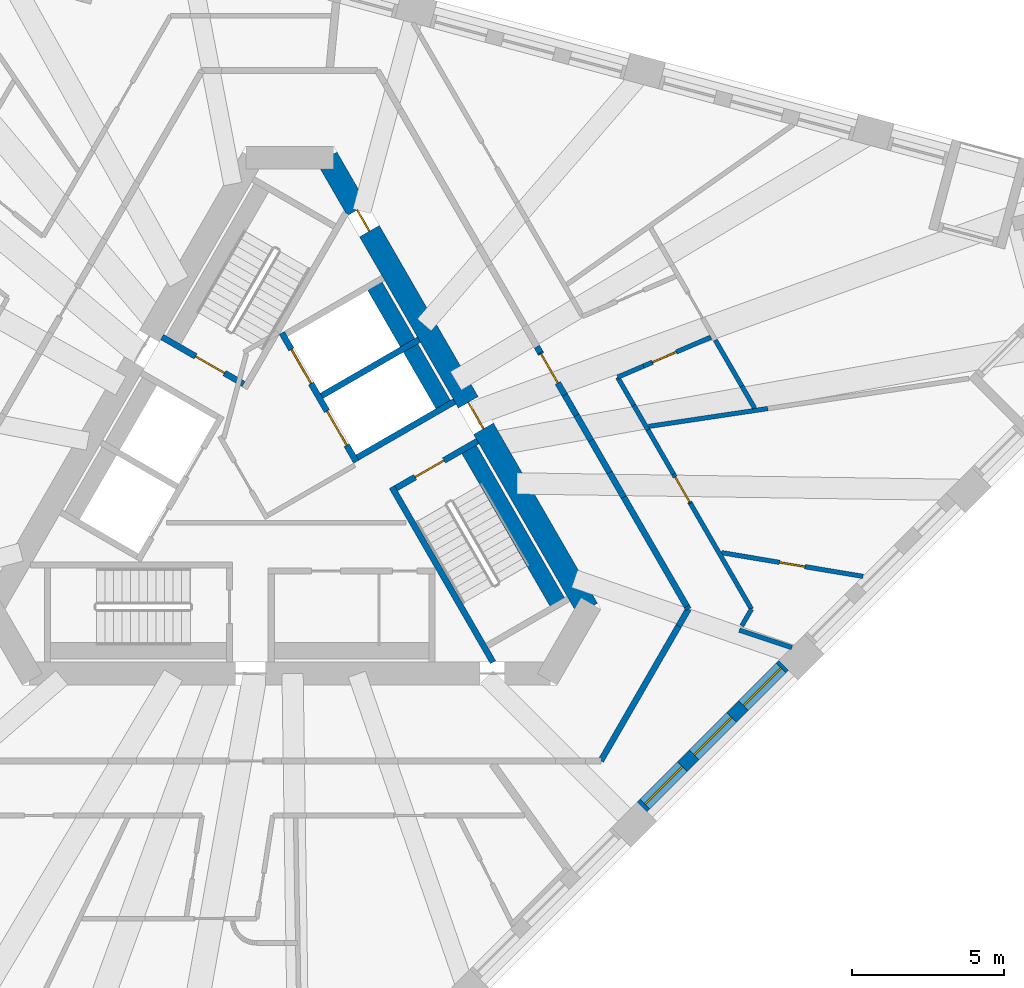
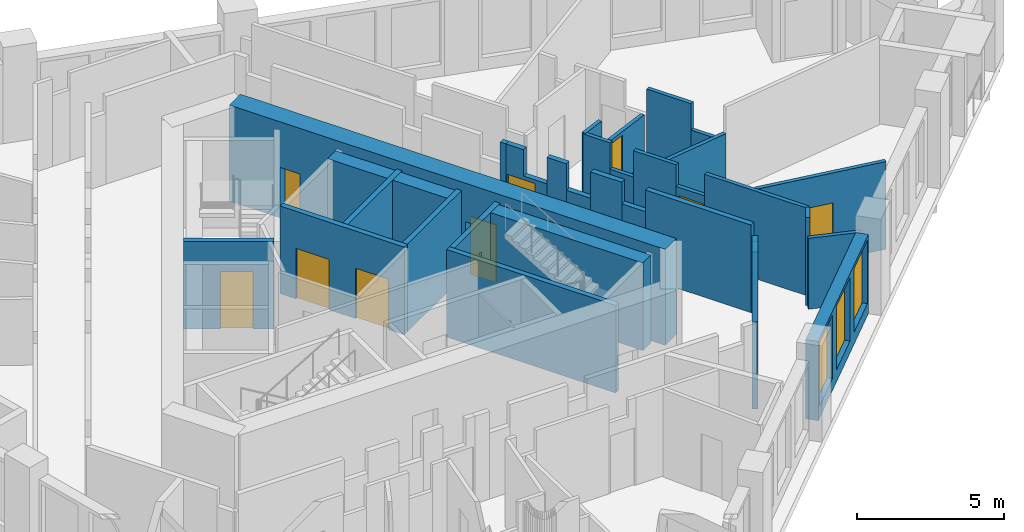
# One storey, part 5 of 13: 33 walls, 10 doors, 3 windows, 13 openings.
"""IFC4 building model written with IfcOpenShell, lengths in metres."""

from ifc_helpers import new_model, si_unit, direction, frame, frame_2d, origin, place, context, subcontext, project, spatial, polyline, rectangle, outline, extrude, material, layer, layer_set, type_object, element, fill, save


model = new_model("IFC4")

# Units and contexts
model_context = context("Model", 3, precision=1e-05, world=origin(), true_north=direction((0.0, 1.0)))
body_context = subcontext(model_context, "Body", "Model", "MODEL_VIEW")
ifc_project = project(units=[si_unit("LENGTHUNIT", "METRE"), si_unit("AREAUNIT", "SQUARE_METRE"), si_unit("VOLUMEUNIT", "CUBIC_METRE"), si_unit("PLANEANGLEUNIT", "RADIAN"), si_unit("MASSUNIT", "GRAM", prefix="KILO")], contexts=[model_context])

# Site, building, storey
site_placement = place(None, origin())
site = spatial("IfcSite", under=ifc_project, at=site_placement, CompositionType="ELEMENT")
building_placement = place(site_placement, origin())
building = spatial("IfcBuilding", under=site, at=building_placement, Name="Tramontana Tower", CompositionType="ELEMENT")
storey_placement = place(building_placement, frame((0.0, 0.0, 216.0)))
storey = spatial("IfcBuildingStorey", under=building, at=storey_placement, Name="L50", CompositionType="ELEMENT", Elevation=216.0)

# Wall, openings, doors
ifc_material_1 = material(Name="Concrete 70 MPa", Category="concrete")
ifc_layer_1 = layer(ifc_material_1, 0.75)
ifc_layer_set_1 = layer_set([ifc_layer_1], Name="Core wall 750 70 MPa")
wall_type_1 = type_object("IfcWallType", Name="Core wall 750 70 MPa", PredefinedType="SHEAR", material=ifc_layer_set_1)
wall_1_placement = place(storey_placement, frame((9.81494140625, -4.25, 0.0), z_axis=(0.0, 0.0, 1.0), x_axis=(-0.500002161919, 0.866024155596, 0.0)))
wall_1 = element("IfcWall", 1, at=wall_1_placement, inside=storey, type_object=wall_type_1, Name="Core wall C5 L50", PredefinedType="SHEAR", context=body_context, shape_type="SweptSolid", body=[
    extrude(rectangle(XDim=17.17626953125, YDim=0.75, at=frame_2d((8.588134765625, 0.0))), origin(), (0.0, 0.0, 1.0), 4.0),
])
opening_1_placement = place(wall_1_placement, frame((6.863037109375, 0.0, 0.0)))
opening_1 = element("IfcOpeningElement", 2, at=opening_1_placement, cuts=wall_1, Name="Opening RG3", PredefinedType="OPENING", context=body_context, shape_type="SweptSolid", body=[
    extrude(rectangle(XDim=1.0, YDim=2.39990234375, at=frame_2d((0.5, 1.199951171875))), frame((0.0, 0.385009765625, 0.0), z_axis=(0.0, -1.0, 0.0), x_axis=(1.0, 0.0, 0.0)), (0.0, 0.0, 1.0), 0.77001953125),
])
opening_2_placement = place(wall_1_placement, frame((14.382080078125, 0.0, 0.0)))
opening_2 = element("IfcOpeningElement", 3, at=opening_2_placement, cuts=wall_1, Name="Opening PD3", PredefinedType="OPENING", context=body_context, shape_type="SweptSolid", body=[
    extrude(rectangle(XDim=0.800048828125, YDim=2.10009765625, at=frame_2d((0.39990234375, 1.050048828125))), frame((0.0, 0.385009765625, 0.0), z_axis=(0.0, -1.0, 0.0), x_axis=(1.0, 0.0, 0.0)), (0.0, 0.0, 1.0), 0.77001953125),
])
ifc_material_2 = material(Name="Painted steel", Category="steel")
door_type_1 = type_object("IfcDoorType", Name="CUPBOARD DOOR 800", OperationType="SINGLE_SWING_LEFT", PredefinedType="DOOR", material=ifc_material_2)
door_1_placement = place(opening_2_placement, origin())
door_1 = element("IfcDoor", 4, at=door_1_placement, inside=storey, type_object=door_type_1, Name="Door PD3", OperationType="SINGLE_SWING_RIGHT", OverallHeight=2.10009765625, OverallWidth=0.800048828125, PredefinedType="DOOR", context=body_context, shape_type="SweptSolid", body=[
    extrude(rectangle(XDim=0.800048828125, YDim=2.10009765625, at=frame_2d((0.39990234375, 1.050048828125))), frame((0.0, 0.02490234375, 0.0), z_axis=(0.0, -1.0, 0.0), x_axis=(1.0, 0.0, 0.0)), (0.0, 0.0, 1.0), 0.050048828125),
])
fill(opening_2, door_1)
ifc_material_3 = material(Name="Painted steel", Category="steel")
door_type_2 = type_object("IfcDoorType", Name="RING DOOR 1000", OperationType="SINGLE_SWING_LEFT", PredefinedType="DOOR", material=ifc_material_3)
door_2_placement = place(opening_1_placement, origin())
door_2 = element("IfcDoor", 5, at=door_2_placement, inside=storey, type_object=door_type_2, Name="Door RG3", OperationType="SINGLE_SWING_RIGHT", OverallHeight=2.39990234375, OverallWidth=1.0, PredefinedType="DOOR", context=body_context, shape_type="SweptSolid", body=[
    extrude(rectangle(XDim=1.0, YDim=2.39990234375, at=frame_2d((0.5, 1.199951171875))), frame((0.0, 0.02490234375, 0.0), z_axis=(0.0, -1.0, 0.0), x_axis=(1.0, 0.0, 0.0)), (0.0, 0.0, 1.0), 0.050048828125),
])
fill(opening_1, door_2)

# Wall
ifc_material_4 = material(Name="Blockwork", Category="masonry")
ifc_layer_2 = layer(ifc_material_4, 0.199951171875)
ifc_layer_set_2 = layer_set([ifc_layer_2], Name="ENTRY WALL 200")
wall_type_2 = type_object("IfcWallType", Name="ENTRY WALL 200", PredefinedType="SOLIDWALL", material=ifc_layer_set_2)
wall_2_placement = place(storey_placement, frame((8.143310546875, 4.3955078125, 0.0), z_axis=(0.0, 0.0, 1.0), x_axis=(0.499230902886, -0.866468987099, 0.0)))
element("IfcWall", 6, at=wall_2_placement, inside=storey, type_object=wall_type_2, Name="Wall v51-ew0-6", PredefinedType="SOLIDWALL", context=body_context, shape_type="SweptSolid", body=[
    extrude(rectangle(XDim=0.229248046875, YDim=0.199951171875, at=frame_2d((0.11474609375, 0.0))), origin(), (0.0, 0.0, 1.0), 3.64990234375),
])

# Wall, opening, door
wall_3_placement = place(storey_placement, frame((8.2578125, 4.19677734375, 0.0), z_axis=(0.0, 0.0, 1.0), x_axis=(0.500138504756, -0.865945423257, 0.0)))
wall_3 = element("IfcWall", 7, at=wall_3_placement, inside=storey, type_object=wall_type_2, Name="Wall v51-ew0-7", PredefinedType="SOLIDWALL", context=body_context, shape_type="SweptSolid", body=[
    extrude(outline(polyline([(0.0, 0.0), (1.6083984375, 0.0), (1.608642578125, 2.550048828125), (0.6943359375, 2.550048828125), (0.6943359375, 3.64990234375), (0.0, 3.64990234375), (0.0, 0.0)])), frame((0.0, 0.10009765625, 0.0), z_axis=(0.0, -1.0, 0.0), x_axis=(1.0, 0.0, 0.0)), (0.0, 0.0, 1.0), 0.199951171875),
])
opening_3_placement = place(wall_3_placement, frame((0.050048828125, 0.0, 0.0)))
opening_3 = element("IfcOpeningElement", 8, at=opening_3_placement, cuts=wall_3, Name="Opening B5B-21", PredefinedType="OPENING", context=body_context, shape_type="SweptSolid", body=[
    extrude(rectangle(XDim=1.10009765625, YDim=2.39990234375, at=frame_2d((0.550048828125, 1.199951171875))), frame((0.0, 0.10986328125, 0.0), z_axis=(0.0, -1.0, 0.0), x_axis=(1.0, 0.0, 0.0)), (0.0, 0.0, 1.0), 0.219970703125),
])
ifc_material_5 = material(Name="Painted timber", Category="wood")
door_type_3 = type_object("IfcDoorType", Name="DOOR ENTRY 1100", OperationType="SINGLE_SWING_LEFT", PredefinedType="DOOR", material=ifc_material_5)
door_3_placement = place(opening_3_placement, origin())
door_3 = element("IfcDoor", 9, at=door_3_placement, inside=storey, type_object=door_type_3, Name="Door B5B-21", OperationType="SINGLE_SWING_LEFT", OverallHeight=2.39990234375, OverallWidth=1.10009765625, PredefinedType="DOOR", context=body_context, shape_type="SweptSolid", body=[
    extrude(rectangle(XDim=1.10009765625, YDim=2.39990234375, at=frame_2d((0.550048828125, 1.199951171875))), frame((0.0, 0.02490234375, 0.0), z_axis=(0.0, -1.0, 0.0), x_axis=(1.0, 0.0, 0.0)), (0.0, 0.0, 1.0), 0.050048828125),
])
fill(opening_3, door_3)

# Walls
wall_4_placement = place(storey_placement, frame((9.062255859375, 2.803955078125, 0.0), z_axis=(0.0, 0.0, 1.0), x_axis=(0.499997253739, -0.866026989333, 0.0)))
element("IfcWall", 10, at=wall_4_placement, inside=storey, type_object=wall_type_2, Name="Wall v51-ew0-8", PredefinedType="SOLIDWALL", context=body_context, shape_type="SweptSolid", body=[
    extrude(rectangle(XDim=0.76904296875, YDim=0.199951171875, at=frame_2d((0.384521484375, 0.0))), origin(), (0.0, 0.0, 1.0), 3.64990234375),
])
wall_5_placement = place(storey_placement, frame((9.44677734375, 2.137939453125, 0.0), z_axis=(0.0, 0.0, 1.0), x_axis=(0.499869636591, -0.866100656052, 0.0)))
element("IfcWall", 11, at=wall_5_placement, inside=storey, type_object=wall_type_2, Name="Wall v51-ew0-9", PredefinedType="SOLIDWALL", context=body_context, shape_type="SweptSolid", body=[
    extrude(rectangle(XDim=0.957275390625, YDim=0.199951171875, at=frame_2d((0.478515625, 0.0))), origin(), (0.0, 0.0, 1.0), 2.550048828125),
])
wall_6_placement = place(storey_placement, frame((9.92529296875, 1.308837890625, 0.0), z_axis=(0.0, 0.0, 1.0), x_axis=(0.500055461028, -0.865993380977, 0.0)))
element("IfcWall", 12, at=wall_6_placement, inside=storey, type_object=wall_type_2, Name="Wall v51-ew0-10", PredefinedType="SOLIDWALL", context=body_context, shape_type="SweptSolid", body=[
    extrude(rectangle(XDim=1.226806640625, YDim=0.199951171875, at=frame_2d((0.61328125, 0.0))), origin(), (0.0, 0.0, 1.0), 3.64990234375),
])
wall_7_placement = place(storey_placement, frame((10.538818359375, 0.246337890625, 0.0), z_axis=(0.0, 0.0, 1.0), x_axis=(0.499971966783, -0.866041588165, 0.0)))
element("IfcWall", 13, at=wall_7_placement, inside=storey, type_object=wall_type_2, Name="Wall v51-ew0-11", PredefinedType="SOLIDWALL", context=body_context, shape_type="SweptSolid", body=[
    extrude(rectangle(XDim=0.931640625, YDim=0.199951171875, at=frame_2d((0.4658203125, 0.0))), origin(), (0.0, 0.0, 1.0), 2.75),
])
wall_8_placement = place(storey_placement, frame((11.004638671875, -0.560546875, 0.0), z_axis=(0.0, 0.0, 1.0), x_axis=(0.499993700073, -0.866029041019, 0.0)))
element("IfcWall", 14, at=wall_8_placement, inside=storey, type_object=wall_type_2, Name="Wall v51-ew0-12", PredefinedType="SOLIDWALL", context=body_context, shape_type="SweptSolid", body=[
    extrude(rectangle(XDim=4.1552734375, YDim=0.199951171875, at=frame_2d((2.07763671875, 0.0))), origin(), (0.0, 0.0, 1.0), 3.64990234375),
])
wall_9_placement = place(storey_placement, frame((13.082275390625, -4.1591796875, 0.0), z_axis=(0.0, 0.0, 1.0), x_axis=(0.500393920955, -0.865797853931, 0.0)))
element("IfcWall", 15, at=wall_9_placement, inside=storey, type_object=wall_type_2, Name="Wall v51-ew0-13", PredefinedType="SOLIDWALL", context=body_context, shape_type="SweptSolid", body=[
    extrude(rectangle(XDim=0.10498046875, YDim=0.199951171875, at=frame_2d((0.052490234375, 0.0))), origin(), (0.0, 0.0, 1.0), 2.949951171875),
])
wall_10_placement = place(storey_placement, frame((13.134765625, -4.25, 0.0), z_axis=(0.0, 0.0, 1.0), x_axis=(-0.500018234033, -0.866014876105, 0.0)))
element("IfcWall", 16, at=wall_10_placement, inside=storey, type_object=wall_type_2, Name="Wall v51-ew1-0", PredefinedType="SOLIDWALL", context=body_context, shape_type="SweptSolid", body=[
    extrude(rectangle(XDim=0.64306640625, YDim=0.199951171875, at=frame_2d((0.321533203125, 0.0))), origin(), (0.0, 0.0, 1.0), 2.949951171875),
])
wall_11_placement = place(storey_placement, frame((12.813232421875, -4.806884765625, 0.0), z_axis=(0.0, 0.0, 1.0), x_axis=(-0.499992949462, -0.866029474376, 0.0)))
element("IfcWall", 17, at=wall_11_placement, inside=storey, type_object=wall_type_2, Name="Wall v51-ew1-1", PredefinedType="SOLIDWALL", context=body_context, shape_type="SweptSolid", body=[
    extrude(rectangle(XDim=5.13037109375, YDim=0.199951171875, at=frame_2d((2.565185546875, 0.0))), origin(), (0.0, 0.0, 1.0), 3.64990234375),
])

# Wall, openings, windows
ifc_material_6 = material(Name="Precast concrete 60 MPa", Category="concrete")
ifc_layer_3 = layer(ifc_material_6, 0.449951171875)
ifc_layer_set_3 = layer_set([ifc_layer_3], Name="Precast concrete 60 MPa, 450 mm")
wall_type_3 = type_object("IfcWallType", Name="EW1 Stone-faced precast wall 450", PredefinedType="SOLIDWALL", material=ifc_layer_set_3)
wall_12_placement = place(storey_placement, frame((11.6142578125, -10.765625, 0.0), z_axis=(0.0, 0.0, 1.0), x_axis=(0.707106781187, 0.707106781187, 0.0)))
wall_12 = element("IfcWall", 18, at=wall_12_placement, inside=storey, type_object=wall_type_3, Name="External wall L50 face 1 bay 4", PredefinedType="SOLIDWALL", context=body_context, shape_type="SweptSolid", body=[
    extrude(rectangle(XDim=6.59423828125, YDim=0.449951171875, at=frame_2d((3.297119140625, 0.0))), origin(), (0.0, 0.0, 1.0), 3.300048828125),
])
opening_4_placement = place(wall_12_placement, frame((0.1240234375, 0.0, 0.5)))
opening_4 = element("IfcOpeningElement", 19, at=opening_4_placement, cuts=wall_12, Name="Opening M2", PredefinedType="OPENING", context=body_context, shape_type="SweptSolid", body=[
    extrude(rectangle(XDim=1.75, YDim=2.64990234375, at=frame_2d((0.875, 1.324951171875))), frame((0.0, 0.23486328125, 0.0), z_axis=(0.0, -1.0, 0.0), x_axis=(1.0, 0.0, 0.0)), (0.0, 0.0, 1.0), 0.469970703125),
])
opening_5_placement = place(wall_12_placement, frame((2.422119140625, 0.0, 0.5)))
opening_5 = element("IfcOpeningElement", 20, at=opening_5_placement, cuts=wall_12, Name="Opening M2", PredefinedType="OPENING", context=body_context, shape_type="SweptSolid", body=[
    extrude(rectangle(XDim=1.75, YDim=2.64990234375, at=frame_2d((0.875, 1.324951171875))), frame((0.0, 0.23486328125, 0.0), z_axis=(0.0, -1.0, 0.0), x_axis=(1.0, 0.0, 0.0)), (0.0, 0.0, 1.0), 0.469970703125),
])
opening_6_placement = place(wall_12_placement, frame((4.72021484375, 0.0, 0.5)))
opening_6 = element("IfcOpeningElement", 21, at=opening_6_placement, cuts=wall_12, Name="Opening M2", PredefinedType="OPENING", context=body_context, shape_type="SweptSolid", body=[
    extrude(rectangle(XDim=1.75, YDim=2.64990234375, at=frame_2d((0.875, 1.324951171875))), frame((0.0, 0.23486328125, 0.0), z_axis=(0.0, -1.0, 0.0), x_axis=(1.0, 0.0, 0.0)), (0.0, 0.0, 1.0), 0.469970703125),
])
ifc_material_7 = material(Name="Aluminum frame, double glazing unit", Category="aluminium")
window_type = type_object("IfcWindowType", Name="M2 Window 1.75 x 2.65", PartitioningType="SINGLE_PANEL", PredefinedType="WINDOW", material=ifc_material_7)
window_1_placement = place(opening_4_placement, origin())
window_1 = element("IfcWindow", 22, at=window_1_placement, inside=storey, type_object=window_type, Name="Window M2 L50 face 1 module 10", OverallHeight=2.64990234375, OverallWidth=1.75, PartitioningType="SINGLE_PANEL", PredefinedType="WINDOW", context=body_context, shape_type="SweptSolid", body=[
    extrude(rectangle(XDim=1.75, YDim=2.64990234375, at=frame_2d((0.875, 1.324951171875))), frame((0.0, 0.030029296875, 0.0), z_axis=(0.0, -1.0, 0.0), x_axis=(1.0, 0.0, 0.0)), (0.0, 0.0, 1.0), 0.06005859375),
])
fill(opening_4, window_1)
window_2_placement = place(opening_5_placement, origin())
window_2 = element("IfcWindow", 23, at=window_2_placement, inside=storey, type_object=window_type, Name="Window M2 L50 face 1 module 11", OverallHeight=2.64990234375, OverallWidth=1.75, PartitioningType="SINGLE_PANEL", PredefinedType="WINDOW", context=body_context, shape_type="SweptSolid", body=[
    extrude(rectangle(XDim=1.75, YDim=2.64990234375, at=frame_2d((0.875, 1.324951171875))), frame((0.0, 0.030029296875, 0.0), z_axis=(0.0, -1.0, 0.0), x_axis=(1.0, 0.0, 0.0)), (0.0, 0.0, 1.0), 0.06005859375),
])
fill(opening_5, window_2)
window_3_placement = place(opening_6_placement, origin())
window_3 = element("IfcWindow", 24, at=window_3_placement, inside=storey, type_object=window_type, Name="Window M2 L50 face 1 module 12", OverallHeight=2.64990234375, OverallWidth=1.75, PartitioningType="SINGLE_PANEL", PredefinedType="WINDOW", context=body_context, shape_type="SweptSolid", body=[
    extrude(rectangle(XDim=1.75, YDim=2.64990234375, at=frame_2d((0.875, 1.324951171875))), frame((0.0, 0.030029296875, 0.0), z_axis=(0.0, -1.0, 0.0), x_axis=(1.0, 0.0, 0.0)), (0.0, 0.0, 1.0), 0.06005859375),
])
fill(opening_6, window_3)

# Walls
ifc_material_8 = material(Name="Gypsum board partition")
ifc_layer_4 = layer(ifc_material_8, 0.14990234375)
ifc_layer_set_4 = layer_set([ifc_layer_4], Name="PARTITION 150")
wall_type_4 = type_object("IfcWallType", Name="PARTITION 150", PredefinedType="PARTITIONING", material=ifc_layer_set_4)
wall_13_placement = place(storey_placement, frame((10.803955078125, 3.38720703125, 0.0), z_axis=(0.0, 0.0, 1.0), x_axis=(0.499874077423, -0.866098093013, 0.0)))
element("IfcWall", 25, at=wall_13_placement, inside=storey, type_object=wall_type_4, Name="Wall v51-pw61-0", PredefinedType="PARTITIONING", context=body_context, shape_type="SweptSolid", body=[
    extrude(rectangle(XDim=1.068603515625, YDim=0.14990234375, at=frame_2d((0.5341796875, 0.0))), origin(), (0.0, 0.0, 1.0), 3.64990234375),
])
wall_14_placement = place(storey_placement, frame((11.338134765625, 2.461669921875, 0.0), z_axis=(0.0, 0.0, 1.0), x_axis=(0.500032811619, -0.866006459158, 0.0)))
element("IfcWall", 26, at=wall_14_placement, inside=storey, type_object=wall_type_4, Name="Wall v51-pw61-1", PredefinedType="PARTITIONING", context=body_context, shape_type="SweptSolid", body=[
    extrude(rectangle(XDim=0.9306640625, YDim=0.14990234375, at=frame_2d((0.46533203125, 0.0))), origin(), (0.0, 0.0, 1.0), 2.550048828125),
])
wall_15_placement = place(storey_placement, frame((11.803466796875, 1.65576171875, 0.0), z_axis=(0.0, 0.0, 1.0), x_axis=(0.499974444137, -0.866040157966, 0.0)))
element("IfcWall", 27, at=wall_15_placement, inside=storey, type_object=wall_type_4, Name="Wall v51-pw61-2", PredefinedType="PARTITIONING", context=body_context, shape_type="SweptSolid", body=[
    extrude(rectangle(XDim=1.67724609375, YDim=0.14990234375, at=frame_2d((0.838623046875, 0.0))), origin(), (0.0, 0.0, 1.0), 3.64990234375),
])

# Wall, opening, door
wall_16_placement = place(storey_placement, frame((12.64208984375, 0.203125, 0.0), z_axis=(0.0, 0.0, 1.0), x_axis=(0.50009519111, -0.865970438196, 0.0)))
wall_16 = element("IfcWall", 28, at=wall_16_placement, inside=storey, type_object=wall_type_4, Name="Wall v51-pw61-3", PredefinedType="PARTITIONING", context=body_context, shape_type="SweptSolid", body=[
    extrude(rectangle(XDim=1.114990234375, YDim=0.14990234375, at=frame_2d((0.5576171875, 0.0))), origin(), (0.0, 0.0, 1.0), 2.75),
])
opening_7_placement = place(wall_16_placement, frame((0.114990234375, 0.0, 0.0)))
opening_7 = element("IfcOpeningElement", 29, at=opening_7_placement, cuts=wall_16, Name="Opening B5B-16", PredefinedType="OPENING", context=body_context, shape_type="SweptSolid", body=[
    extrude(rectangle(XDim=0.949951171875, YDim=2.39990234375, at=frame_2d((0.47509765625, 1.199951171875))), frame((0.0, 0.0849609375, 0.0), z_axis=(0.0, -1.0, 0.0), x_axis=(1.0, 0.0, 0.0)), (0.0, 0.0, 1.0), 0.169921875),
])
ifc_material_9 = material(Name="Painted timber", Category="wood")
door_type_4 = type_object("IfcDoorType", Name="DOOR ROOM 950", OperationType="SINGLE_SWING_LEFT", PredefinedType="DOOR", material=ifc_material_9)
door_4_placement = place(opening_7_placement, origin())
door_4 = element("IfcDoor", 30, at=door_4_placement, inside=storey, type_object=door_type_4, Name="Door B5B-16", OperationType="SINGLE_SWING_RIGHT", OverallHeight=2.39990234375, OverallWidth=0.949951171875, PredefinedType="DOOR", context=body_context, shape_type="SweptSolid", body=[
    extrude(rectangle(XDim=0.949951171875, YDim=2.39990234375, at=frame_2d((0.47509765625, 1.199951171875))), frame((0.0, 0.02490234375, 0.0), z_axis=(0.0, -1.0, 0.0), x_axis=(1.0, 0.0, 0.0)), (0.0, 0.0, 1.0), 0.050048828125),
])
fill(opening_7, door_4)

# Walls
wall_17_placement = place(storey_placement, frame((13.19970703125, -0.762451171875, 0.0), z_axis=(0.0, 0.0, 1.0), x_axis=(0.499979602577, -0.866037179922, 0.0)))
element("IfcWall", 31, at=wall_17_placement, inside=storey, type_object=wall_type_4, Name="Wall v51-pw61-4", PredefinedType="PARTITIONING", context=body_context, shape_type="SweptSolid", body=[
    extrude(rectangle(XDim=4.027099609375, YDim=0.14990234375, at=frame_2d((2.013671875, 0.0))), origin(), (0.0, 0.0, 1.0), 3.64990234375),
])
wall_18_placement = place(storey_placement, frame((14.021728515625, 4.613525390625, 0.0), z_axis=(0.0, 0.0, 1.0), x_axis=(0.500047902311, -0.865997745606, 0.0)))
element("IfcWall", 32, at=wall_18_placement, inside=storey, type_object=wall_type_4, Name="Wall v51-pw62-4", PredefinedType="PARTITIONING", context=body_context, shape_type="SweptSolid", body=[
    extrude(rectangle(XDim=1.753173828125, YDim=0.14990234375, at=frame_2d((0.87646484375, 0.0))), origin(), (0.0, 0.0, 1.0), 3.64990234375),
])
wall_19_placement = place(storey_placement, frame((14.8984375, 3.09521484375, 0.0), z_axis=(0.0, 0.0, 1.0), x_axis=(0.499991329354, -0.866030409726, 0.0)))
element("IfcWall", 33, at=wall_19_placement, inside=storey, type_object=wall_type_4, Name="Wall v51-pw62-5", PredefinedType="PARTITIONING", context=body_context, shape_type="SweptSolid", body=[
    extrude(rectangle(XDim=0.83837890625, YDim=0.14990234375, at=frame_2d((0.419189453125, 0.0))), origin(), (0.0, 0.0, 1.0), 2.550048828125),
])

# Wall, opening, door
wall_20_placement = place(storey_placement, frame((13.87841796875, 4.711669921875, 0.0), z_axis=(0.0, 0.0, 1.0), x_axis=(-0.918800490112, -0.394722255985, 0.0)))
wall_20 = element("IfcWall", 34, at=wall_20_placement, inside=storey, type_object=wall_type_4, Name="Wall v51-pw63-0", PredefinedType="PARTITIONING", context=body_context, shape_type="SweptSolid", body=[
    extrude(rectangle(XDim=2.42138671875, YDim=0.14990234375, at=frame_2d((1.210693359375, 0.0))), origin(), (0.0, 0.0, 1.0), 2.550048828125),
])
opening_8_placement = place(wall_20_placement, frame((1.247314453125, 0.0, 0.0)))
opening_8 = element("IfcOpeningElement", 35, at=opening_8_placement, cuts=wall_20, Name="Opening B5B-14", PredefinedType="OPENING", context=body_context, shape_type="SweptSolid", body=[
    extrude(rectangle(XDim=0.85009765625, YDim=2.39990234375, at=frame_2d((0.425048828125, 1.199951171875))), frame((0.0, 0.0849609375, 0.0), z_axis=(0.0, -1.0, 0.0), x_axis=(1.0, 0.0, 0.0)), (0.0, 0.0, 1.0), 0.169921875),
])
ifc_material_10 = material(Name="Painted timber", Category="wood")
door_type_5 = type_object("IfcDoorType", Name="DOOR BATH 850", OperationType="SINGLE_SWING_LEFT", PredefinedType="DOOR", material=ifc_material_10)
door_5_placement = place(opening_8_placement, origin())
door_5 = element("IfcDoor", 36, at=door_5_placement, inside=storey, type_object=door_type_5, Name="Door B5B-14", OperationType="SINGLE_SWING_RIGHT", OverallHeight=2.39990234375, OverallWidth=0.85009765625, PredefinedType="DOOR", context=body_context, shape_type="SweptSolid", body=[
    extrude(rectangle(XDim=0.85009765625, YDim=2.39990234375, at=frame_2d((0.425048828125, 1.199951171875))), frame((0.0, 0.02490234375, 0.0), z_axis=(0.0, -1.0, 0.0), x_axis=(1.0, 0.0, 0.0)), (0.0, 0.0, 1.0), 0.050048828125),
])
fill(opening_8, door_5)

# Wall
wall_21_placement = place(storey_placement, frame((11.653564453125, 3.755859375, 0.0), z_axis=(0.0, 0.0, 1.0), x_axis=(-0.918747867973, -0.394844722764, 0.0)))
element("IfcWall", 37, at=wall_21_placement, inside=storey, type_object=wall_type_4, Name="Wall v51-pw63-1", PredefinedType="PARTITIONING", context=body_context, shape_type="SweptSolid", body=[
    extrude(rectangle(XDim=0.923095703125, YDim=0.14990234375, at=frame_2d((0.46142578125, 0.0))), origin(), (0.0, 0.0, 1.0), 3.64990234375),
])

# Wall, opening, door
wall_22_placement = place(storey_placement, frame((18.88916015625, -3.172607421875, 0.0), z_axis=(0.0, 0.0, 1.0), x_axis=(-0.986181013246, 0.165671388939, 0.0)))
wall_22 = element("IfcWall", 38, at=wall_22_placement, inside=storey, type_object=wall_type_4, Name="Wall v51-pw64", PredefinedType="PARTITIONING", context=body_context, shape_type="SweptSolid", body=[
    extrude(rectangle(XDim=4.72900390625, YDim=0.14990234375, at=frame_2d((2.364501953125, 0.0))), origin(), (0.0, 0.0, 1.0), 3.64990234375),
])
opening_9_placement = place(wall_22_placement, frame((1.939453125, 0.0, 0.0)))
opening_9 = element("IfcOpeningElement", 39, at=opening_9_placement, cuts=wall_22, Name="Opening B5B-18", PredefinedType="OPENING", context=body_context, shape_type="SweptSolid", body=[
    extrude(rectangle(XDim=0.85009765625, YDim=2.39990234375, at=frame_2d((0.425048828125, 1.199951171875))), frame((0.0, 0.0849609375, 0.0), z_axis=(0.0, -1.0, 0.0), x_axis=(1.0, 0.0, 0.0)), (0.0, 0.0, 1.0), 0.169921875),
])
door_6_placement = place(opening_9_placement, origin())
door_6 = element("IfcDoor", 40, at=door_6_placement, inside=storey, type_object=door_type_5, Name="Door B5B-18", OperationType="SINGLE_SWING_RIGHT", OverallHeight=2.39990234375, OverallWidth=0.85009765625, PredefinedType="DOOR", context=body_context, shape_type="SweptSolid", body=[
    extrude(rectangle(XDim=0.85009765625, YDim=2.39990234375, at=frame_2d((0.425048828125, 1.199951171875))), frame((0.0, 0.02490234375, 0.0), z_axis=(0.0, -1.0, 0.0), x_axis=(1.0, 0.0, 0.0)), (0.0, 0.0, 1.0), 0.050048828125),
])
fill(opening_9, door_6)

# Walls
wall_23_placement = place(storey_placement, frame((14.815673828125, -4.943359375, 0.0), z_axis=(0.0, 0.0, 1.0), x_axis=(0.948575938463, -0.316549662722, 0.0)))
element("IfcWall", 41, at=wall_23_placement, inside=storey, type_object=wall_type_4, Name="Wall v51-pw65-0", PredefinedType="PARTITIONING", context=body_context, shape_type="SweptSolid", body=[
    extrude(rectangle(XDim=1.820068359375, YDim=0.14990234375, at=frame_2d((0.91015625, 0.0))), origin(), (0.0, 0.0, 1.0), 2.949951171875),
])
wall_24_placement = place(storey_placement, frame((15.213134765625, -4.25, 0.0), z_axis=(0.0, 0.0, 1.0), x_axis=(-0.499899851437, -0.866083216864, 0.0)))
element("IfcWall", 42, at=wall_24_placement, inside=storey, type_object=wall_type_4, Name="Wall v51-pw66-0", PredefinedType="PARTITIONING", context=body_context, shape_type="SweptSolid", body=[
    extrude(rectangle(XDim=0.635498046875, YDim=0.14990234375, at=frame_2d((0.31787109375, 0.0))), origin(), (0.0, 0.0, 1.0), 3.64990234375),
])
wall_25_placement = place(storey_placement, frame((15.75244140625, 2.3583984375, 0.0), z_axis=(0.0, 0.0, 1.0), x_axis=(-0.988978239482, -0.148060939588, 0.0)))
element("IfcWall", 43, at=wall_25_placement, inside=storey, type_object=wall_type_4, Name="Wall v51-pw67-1", PredefinedType="PARTITIONING", context=body_context, shape_type="SweptSolid", body=[
    extrude(rectangle(XDim=3.97216796875, YDim=0.14990234375, at=frame_2d((1.986083984375, 0.0))), origin(), (0.0, 0.0, 1.0), 2.550048828125),
])
ifc_material_11 = material(Name="Concrete 70 MPa", Category="concrete")
ifc_layer_5 = layer(ifc_material_11, 0.550048828125)
ifc_layer_set_5 = layer_set([ifc_layer_5], Name="Concrete 70 MPa, 550 mm")
wall_type_5 = type_object("IfcWallType", Name="RC SHAFT BACK WALL 550", PredefinedType="SOLIDWALL", material=ifc_layer_set_5)
wall_26_placement = place(storey_placement, frame((8.911376953125, -4.18505859375, 0.0), z_axis=(0.0, 0.0, 1.0), x_axis=(-0.500009909098, 0.866019682689, 0.0)))
element("IfcWall", 44, at=wall_26_placement, inside=storey, type_object=wall_type_5, Name="Wall st3-back", PredefinedType="SOLIDWALL", context=body_context, shape_type="SweptSolid", body=[
    extrude(rectangle(XDim=6.199951171875, YDim=0.550048828125, at=frame_2d((3.10009765625, 0.0))), origin(), (0.0, 0.0, 1.0), 3.64990234375),
])
wall_27_placement = place(storey_placement, frame((5.156494140625, 2.31884765625, 0.0), z_axis=(0.0, 0.0, 1.0), x_axis=(-0.500018594424, 0.866014668023, 0.0)))
element("IfcWall", 45, at=wall_27_placement, inside=storey, type_object=wall_type_5, Name="Wall row2-back", PredefinedType="SOLIDWALL", context=body_context, shape_type="SweptSolid", body=[
    extrude(rectangle(XDim=4.900146484375, YDim=0.550048828125, at=frame_2d((2.4501953125, 0.0))), origin(), (0.0, 0.0, 1.0), 3.64990234375),
])

# Wall, opening, door
ifc_material_12 = material(Name="Concrete 70 MPa", Category="concrete")
ifc_layer_6 = layer(ifc_material_12, 0.199951171875)
ifc_layer_set_6 = layer_set([ifc_layer_6], Name="Concrete 70 MPa, 200 mm")
wall_type_6 = type_object("IfcWallType", Name="RC STAIR AND SHAFT WALL 200", PredefinedType="SOLIDWALL", material=ifc_layer_set_6)
wall_28_placement = place(storey_placement, frame((-1.521484375, 3.164794921875, 0.0), z_axis=(0.0, 0.0, 1.0), x_axis=(-0.86600983753, 0.500026960575, 0.0)))
wall_28 = element("IfcWall", 46, at=wall_28_placement, inside=storey, type_object=wall_type_6, Name="Wall st1-near", PredefinedType="SOLIDWALL", context=body_context, shape_type="SweptSolid", body=[
    extrude(rectangle(XDim=3.099853515625, YDim=0.199951171875, at=frame_2d((1.5498046875, 0.0))), origin(), (0.0, 0.0, 1.0), 3.64990234375),
])
opening_10_placement = place(wall_28_placement, frame((0.72509765625, 0.0, 0.0)))
opening_10 = element("IfcOpeningElement", 47, at=opening_10_placement, cuts=wall_28, Name="Opening SD1", PredefinedType="OPENING", context=body_context, shape_type="SweptSolid", body=[
    extrude(rectangle(XDim=1.10009765625, YDim=2.39990234375, at=frame_2d((0.550048828125, 1.199951171875))), frame((0.0, 0.10986328125, 0.0), z_axis=(0.0, -1.0, 0.0), x_axis=(1.0, 0.0, 0.0)), (0.0, 0.0, 1.0), 0.219970703125),
])
ifc_material_13 = material(Name="Painted steel", Category="steel")
door_type_6 = type_object("IfcDoorType", Name="STAIR DOOR 1100", OperationType="SINGLE_SWING_LEFT", PredefinedType="DOOR", material=ifc_material_13)
door_7_placement = place(opening_10_placement, origin())
door_7 = element("IfcDoor", 48, at=door_7_placement, inside=storey, type_object=door_type_6, Name="Door SD1", OperationType="SINGLE_SWING_RIGHT", OverallHeight=2.39990234375, OverallWidth=1.10009765625, PredefinedType="DOOR", context=body_context, shape_type="SweptSolid", body=[
    extrude(rectangle(XDim=1.10009765625, YDim=2.39990234375, at=frame_2d((0.550048828125, 1.199951171875))), frame((0.0, 0.02490234375, 0.0), z_axis=(0.0, -1.0, 0.0), x_axis=(1.0, 0.0, 0.0)), (0.0, 0.0, 1.0), 0.050048828125),
])
fill(opening_10, door_7)

# Wall
wall_29_placement = place(storey_placement, frame((6.697265625, -6.0, 0.0), z_axis=(0.0, 0.0, 1.0), x_axis=(-0.499980354584, 0.866036745774, 0.0)))
element("IfcWall", 49, at=wall_29_placement, inside=storey, type_object=wall_type_6, Name="Wall st3-front", PredefinedType="SOLIDWALL", context=body_context, shape_type="SweptSolid", body=[
    extrude(rectangle(XDim=6.664794921875, YDim=0.199951171875, at=frame_2d((3.33251953125, 0.0))), origin(), (0.0, 0.0, 1.0), 3.64990234375),
])

# Wall, opening, door
wall_30_placement = place(storey_placement, frame((3.50146484375, -0.2646484375, 0.0), z_axis=(0.0, 0.0, 1.0), x_axis=(0.866043940782, 0.499967891604, 0.0)))
wall_30 = element("IfcWall", 50, at=wall_30_placement, inside=storey, type_object=wall_type_6, Name="Wall st3-near", PredefinedType="SOLIDWALL", context=body_context, shape_type="SweptSolid", body=[
    extrude(rectangle(XDim=3.099853515625, YDim=0.199951171875, at=frame_2d((1.5498046875, 0.0))), origin(), (0.0, 0.0, 1.0), 3.64990234375),
])
opening_11_placement = place(wall_30_placement, frame((0.72509765625, 0.0, 0.0)))
opening_11 = element("IfcOpeningElement", 51, at=opening_11_placement, cuts=wall_30, Name="Opening SD3", PredefinedType="OPENING", context=body_context, shape_type="SweptSolid", body=[
    extrude(rectangle(XDim=1.10009765625, YDim=2.39990234375, at=frame_2d((0.550048828125, 1.199951171875))), frame((0.0, 0.10986328125, 0.0), z_axis=(0.0, -1.0, 0.0), x_axis=(1.0, 0.0, 0.0)), (0.0, 0.0, 1.0), 0.219970703125),
])
door_8_placement = place(opening_11_placement, origin())
door_8 = element("IfcDoor", 52, at=door_8_placement, inside=storey, type_object=door_type_6, Name="Door SD3", OperationType="SINGLE_SWING_RIGHT", OverallHeight=2.39990234375, OverallWidth=1.10009765625, PredefinedType="DOOR", context=body_context, shape_type="SweptSolid", body=[
    extrude(rectangle(XDim=1.10009765625, YDim=2.39990234375, at=frame_2d((0.550048828125, 1.199951171875))), frame((0.0, 0.02490234375, 0.0), z_axis=(0.0, -1.0, 0.0), x_axis=(1.0, 0.0, 0.0)), (0.0, 0.0, 1.0), 0.050048828125),
])
fill(opening_11, door_8)

# Wall, openings, doors
wall_31_placement = place(storey_placement, frame((2.190185546875, 0.6064453125, 0.0), z_axis=(0.0, 0.0, 1.0), x_axis=(-0.500002801628, 0.866023786258, 0.0)))
wall_31 = element("IfcWall", 53, at=wall_31_placement, inside=storey, type_object=wall_type_6, Name="Wall row2-front", PredefinedType="SOLIDWALL", context=body_context, shape_type="SweptSolid", body=[
    extrude(rectangle(XDim=4.89990234375, YDim=0.199951171875, at=frame_2d((2.449951171875, 0.0))), origin(), (0.0, 0.0, 1.0), 3.64990234375),
])
opening_12_placement = place(wall_31_placement, frame((0.625, 0.0, 0.0)))
opening_12 = element("IfcOpeningElement", 54, at=opening_12_placement, cuts=wall_31, Name="Opening LD-F1", PredefinedType="OPENING", context=body_context, shape_type="SweptSolid", body=[
    extrude(rectangle(XDim=1.300048828125, YDim=2.10009765625, at=frame_2d((0.64990234375, 1.050048828125))), frame((0.0, 0.10986328125, 0.0), z_axis=(0.0, -1.0, 0.0), x_axis=(1.0, 0.0, 0.0)), (0.0, 0.0, 1.0), 0.219970703125),
])
opening_13_placement = place(wall_31_placement, frame((2.97509765625, 0.0, 0.0)))
opening_13 = element("IfcOpeningElement", 55, at=opening_13_placement, cuts=wall_31, Name="Opening LD-F2", PredefinedType="OPENING", context=body_context, shape_type="SweptSolid", body=[
    extrude(rectangle(XDim=1.300048828125, YDim=2.10009765625, at=frame_2d((0.64990234375, 1.050048828125))), frame((0.0, 0.10986328125, 0.0), z_axis=(0.0, -1.0, 0.0), x_axis=(1.0, 0.0, 0.0)), (0.0, 0.0, 1.0), 0.219970703125),
])
ifc_material_14 = material(Name="Brushed steel", Category="steel")
door_type_7 = type_object("IfcDoorType", Name="LANDING DOOR 1300", OperationType="SINGLE_SWING_LEFT", PredefinedType="DOOR", material=ifc_material_14)
door_9_placement = place(opening_12_placement, origin())
door_9 = element("IfcDoor", 56, at=door_9_placement, inside=storey, type_object=door_type_7, Name="Door LD-F1", OperationType="SLIDING_TO_LEFT", OverallHeight=2.10009765625, OverallWidth=1.300048828125, PredefinedType="DOOR", context=body_context, shape_type="SweptSolid", body=[
    extrude(rectangle(XDim=1.300048828125, YDim=2.10009765625, at=frame_2d((0.64990234375, 1.050048828125))), frame((0.0, 0.02490234375, 0.0), z_axis=(0.0, -1.0, 0.0), x_axis=(1.0, 0.0, 0.0)), (0.0, 0.0, 1.0), 0.050048828125),
])
fill(opening_12, door_9)
door_10_placement = place(opening_13_placement, origin())
door_10 = element("IfcDoor", 57, at=door_10_placement, inside=storey, type_object=door_type_7, Name="Door LD-F2", OperationType="SLIDING_TO_RIGHT", OverallHeight=2.10009765625, OverallWidth=1.300048828125, PredefinedType="DOOR", context=body_context, shape_type="SweptSolid", body=[
    extrude(rectangle(XDim=1.300048828125, YDim=2.10009765625, at=frame_2d((0.64990234375, 1.050048828125))), frame((0.0, 0.02490234375, 0.0), z_axis=(0.0, -1.0, 0.0), x_axis=(1.0, 0.0, 0.0)), (0.0, 0.0, 1.0), 0.050048828125),
])
fill(opening_13, door_10)

# Walls
for number, where, z_axis, x_axis, name in (
    (58, (2.226806640625, 0.742919921875, 0.0), (0.0, 0.0, 1.0), (0.86601746898, 0.500013743233, 0.0), "Wall row2-side0"),
    (59, (1.0517578125, 2.778076171875, 0.0), (0.0, 0.0, 1.0), (0.86601746898, 0.500013743233, 0.0), "Wall row2-side1"),
):
    element("IfcWall", number, at=place(storey_placement, frame(where, z_axis=z_axis, x_axis=x_axis)), inside=storey, type_object=wall_type_6, Name=name, PredefinedType="SOLIDWALL", context=body_context, shape_type="SweptSolid", body=[
        extrude(rectangle(XDim=3.7001953125, YDim=0.199951171875, at=frame_2d((1.85009765625, 0.0))), origin(), (0.0, 0.0, 1.0), 3.64990234375),
    ])

save(model, "model.ifc")
